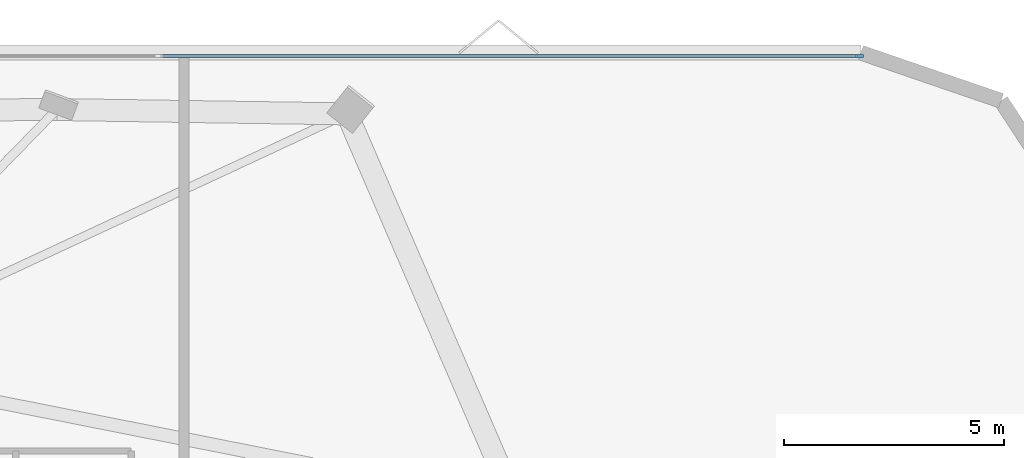
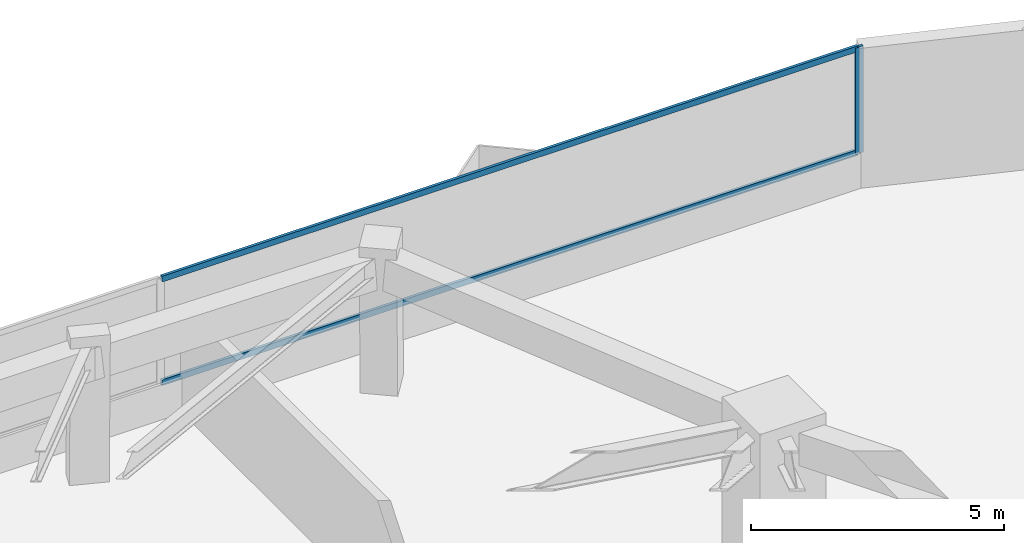
# One storey, part 9 of 14: 3 members, 1 element without a shape of its own.
"""IFC4 building model written with IfcOpenShell, lengths in metres."""

from ifc_helpers import new_model, si_unit, direction, frame, origin, origin_2d, place, context, subcontext, project, spatial, rectangle, extrude, material, layer, layer_set, material_profile, profile_set, type_object, element, aggregate, save


model = new_model("IFC4")

# Units and contexts
model_context = context("Model", 3, precision=1e-05, world=origin(), true_north=direction((0.0, 1.0)))
body_context = subcontext(model_context, "Body", "Model", "MODEL_VIEW")
ifc_project = project(units=[si_unit("LENGTHUNIT", "METRE"), si_unit("AREAUNIT", "SQUARE_METRE"), si_unit("VOLUMEUNIT", "CUBIC_METRE"), si_unit("PLANEANGLEUNIT", "RADIAN"), si_unit("MASSUNIT", "GRAM", prefix="KILO")], contexts=[model_context])

# Site, building, storey
site_placement = place(None, origin())
site = spatial("IfcSite", under=ifc_project, at=site_placement, CompositionType="ELEMENT")
building_placement = place(site_placement, origin())
building = spatial("IfcBuilding", under=site, at=building_placement, Name="Talyreon Biosciences Tower", CompositionType="ELEMENT")
storey_placement = place(building_placement, frame((0.0, 0.0, 141.800048828125)))
storey = spatial("IfcBuildingStorey", under=building, at=storey_placement, Name="L37", CompositionType="ELEMENT", Elevation=141.800048828125)

# Curtain wall, members
ifc_material_1 = material(Name="Thermally broken aluminium and low-E glazing", Category="aluminium")
ifc_layer = layer(ifc_material_1, 0.18505859375)
ifc_layer_set = layer_set([ifc_layer], Name="Thermally broken aluminium and low-E glazing")
curtain_wall_type = type_object("IfcCurtainWallType", Name="CurtainWall_Zone3Bioprocess", PredefinedType="NOTDEFINED", material=ifc_layer_set)
curtain_wall_placement = place(storey_placement, origin())
curtain_wall = element("IfcCurtainWall", 1, at=curtain_wall_placement, inside=storey, type_object=curtain_wall_type, Name="L37 Unitised Curtain Wall FCW-L37-04", PredefinedType="NOTDEFINED")
ifc_material_2 = material(Name="Anodised thermally broken aluminium", Category="aluminium")
ifc_material_profile_1 = material_profile(ifc_material_2, rectangle(XDim=0.06494140625, YDim=0.179931640625, at=origin_2d()), Name="ALUM MULLION 65x180")
ifc_profile_set_1 = profile_set([ifc_material_profile_1], Name="Anodised thermally broken aluminium")
member_type_1 = type_object("IfcMemberType", Name="CWMullion_65x180", PredefinedType="MULLION", material=ifc_profile_set_1)
member_1_placement = place(storey_placement, frame((89.92529296875, 88.80615234375, 0.81005859375), z_axis=(0.0, 0.0, 1.0), x_axis=(0.0, 1.0, 0.0)))
member_1 = element("IfcMember", 2, at=member_1_placement, type_object=member_type_1, Name="CW4 mullion 4", PredefinedType="MULLION", context=body_context, shape_type="SweptSolid", body=[
    extrude(rectangle(XDim=0.06494140625, YDim=0.179931640625, at=origin_2d()), origin(), (0.0, 0.0, 1.0), 2.56494140625),
])
ifc_material_profile_2 = material_profile(ifc_material_2, rectangle(XDim=0.06494140625, YDim=0.139892578125, at=origin_2d()), Name="ALUM TRANSOM 65x140")
ifc_profile_set_2 = profile_set([ifc_material_profile_2], Name="Anodised thermally broken aluminium")
member_type_2 = type_object("IfcMemberType", Name="CWTransom_65x140", PredefinedType="USERDEFINED", material=ifc_profile_set_2)
member_2_placement = place(storey_placement, frame((74.018310546875, 88.80615234375, 0.842529296875), z_axis=(1.0, 0.0, 0.0), x_axis=(0.0, 1.0, 0.0)))
member_2 = element("IfcMember", 3, at=member_2_placement, type_object=member_type_2, Name="CW4 transom 3.1", ObjectType="TRANSOM", PredefinedType="USERDEFINED", context=body_context, shape_type="SweptSolid", body=[
    extrude(rectangle(XDim=0.06494140625, YDim=0.139892578125, at=origin_2d()), origin(), (0.0, 0.0, 1.0), 15.874267578125),
])
member_3_placement = place(storey_placement, frame((74.018310546875, 88.80615234375, 3.342529296875), z_axis=(1.0, 0.0, 0.0), x_axis=(0.0, 1.0, 0.0)))
member_3 = element("IfcMember", 4, at=member_3_placement, type_object=member_type_2, Name="CW4 transom 3.2", ObjectType="TRANSOM", PredefinedType="USERDEFINED", context=body_context, shape_type="SweptSolid", body=[
    extrude(rectangle(XDim=0.06494140625, YDim=0.139892578125, at=origin_2d()), origin(), (0.0, 0.0, 1.0), 15.874267578125),
])
aggregate(curtain_wall, [member_1, member_2, member_3])

save(model, "model.ifc")
